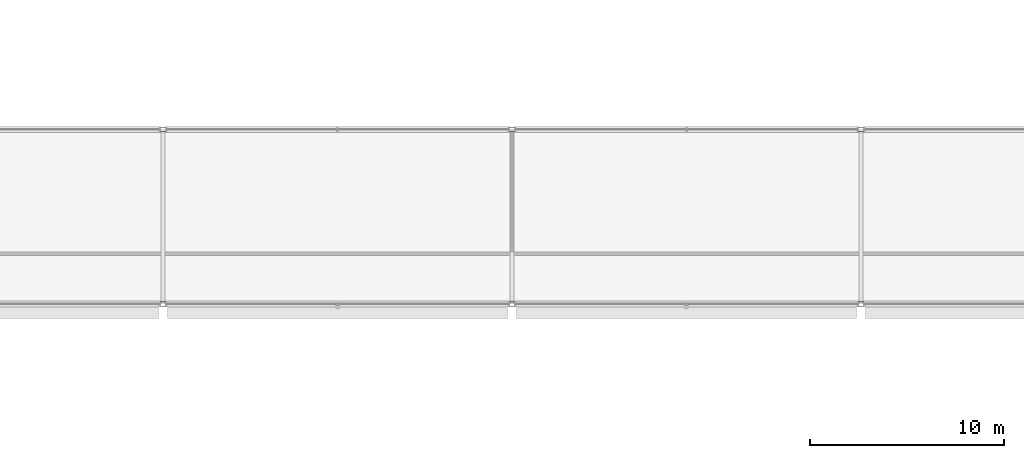
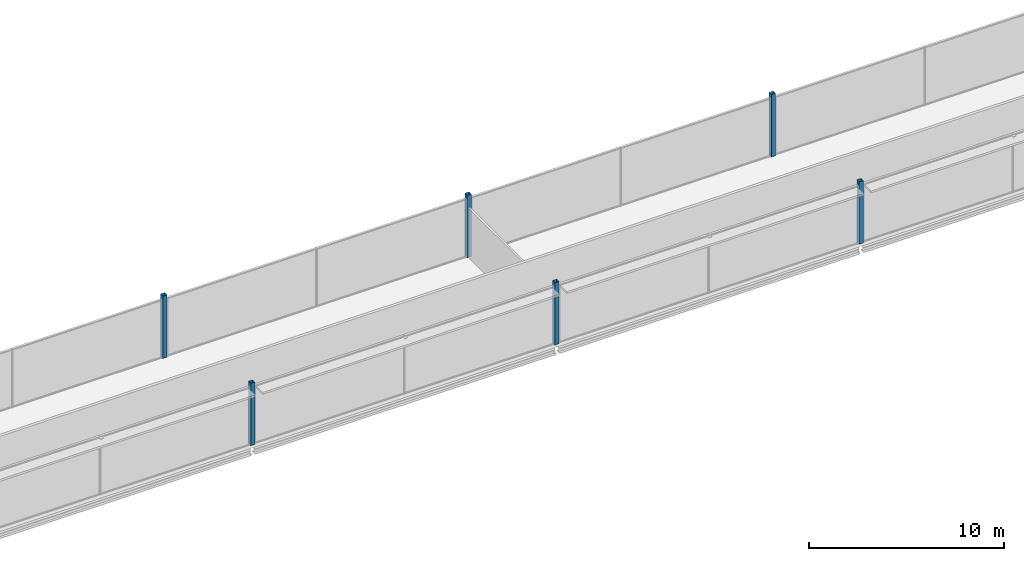
# One storey, part 4 of 96: 6 columns.
"""IFC4 building model written with IfcOpenShell, lengths in metres."""

from ifc_helpers import new_model, si_unit, direction, frame, origin, origin_2d, place, context, subcontext, project, spatial, hollow_rectangle, extrude, material, material_profile, profile_set, type_object, element, save


model = new_model("IFC4")

# Units and contexts
model_context = context("Model", 3, precision=1e-05, world=origin(), true_north=direction((0.0, 1.0)))
body_context = subcontext(model_context, "Body", "Model", "MODEL_VIEW")
ifc_project = project(units=[si_unit("LENGTHUNIT", "METRE"), si_unit("AREAUNIT", "SQUARE_METRE"), si_unit("VOLUMEUNIT", "CUBIC_METRE"), si_unit("PLANEANGLEUNIT", "RADIAN"), si_unit("MASSUNIT", "GRAM", prefix="KILO")], contexts=[model_context])

# Site, building, storey
site_placement = place(None, origin())
site = spatial("IfcSite", under=ifc_project, at=site_placement, CompositionType="ELEMENT")
building_placement = place(site_placement, origin())
building = spatial("IfcBuilding", under=site, at=building_placement, Name="Kisiwana Market Hall", CompositionType="ELEMENT")
storey_placement = place(building_placement, frame((0.0, 0.0, 25.5)))
storey = spatial("IfcBuildingStorey", under=building, at=storey_placement, Name="L05", CompositionType="ELEMENT", Elevation=25.5)

# Columns
ifc_material = material(Name="Steel S355", Category="steel")
ifc_material_profile = material_profile(ifc_material, hollow_rectangle(XDim=0.25, YDim=0.25, WallThickness=0.012451171875, at=origin_2d()), Name="SHS 250x250x12.5")
ifc_profile_set = profile_set([ifc_material_profile], Name="Steel S355")
column_type = type_object("IfcColumnType", Name="COL-STL-SHS250", PredefinedType="COLUMN", material=ifc_profile_set)
for number, where, z_axis, x_axis, name in (
    (1, (81.0, 18.0, 0.0), (0.0, 0.0, 1.0), (1.0, 0.0, 0.0), "Column C/10 (L05) C-0921"),
    (2, (81.0, 27.0, 0.0), (0.0, 0.0, 1.0), (1.0, 0.0, 0.0), "Column D/10 (L05) C-0922"),
    (3, (99.0, 18.0, 0.0), (0.0, 0.0, 1.0), (1.0, 0.0, 0.0), "Column C/12 (L05) C-0925"),
    (4, (99.0, 27.0, 0.0), (0.0, 0.0, 1.0), (1.0, 0.0, 0.0), "Column D/12 (L05) C-0926"),
    (5, (117.0, 18.0, 0.0), (0.0, 0.0, 1.0), (1.0, 0.0, 0.0), "Column C/14 (L05) C-0929"),
    (6, (117.0, 27.0, 0.0), (0.0, 0.0, 1.0), (1.0, 0.0, 0.0), "Column D/14 (L05) C-0930"),
):
    element("IfcColumn", number, at=place(storey_placement, frame(where, z_axis=z_axis, x_axis=x_axis)), inside=storey, type_object=column_type, Name=name, PredefinedType="COLUMN", context=body_context, shape_type="SweptSolid", body=[
        extrude(hollow_rectangle(XDim=0.25, YDim=0.25, WallThickness=0.012451171875, at=origin_2d()), origin(), (0.0, 0.0, 1.0), 3.89990234375),
    ])

save(model, "model.ifc")
